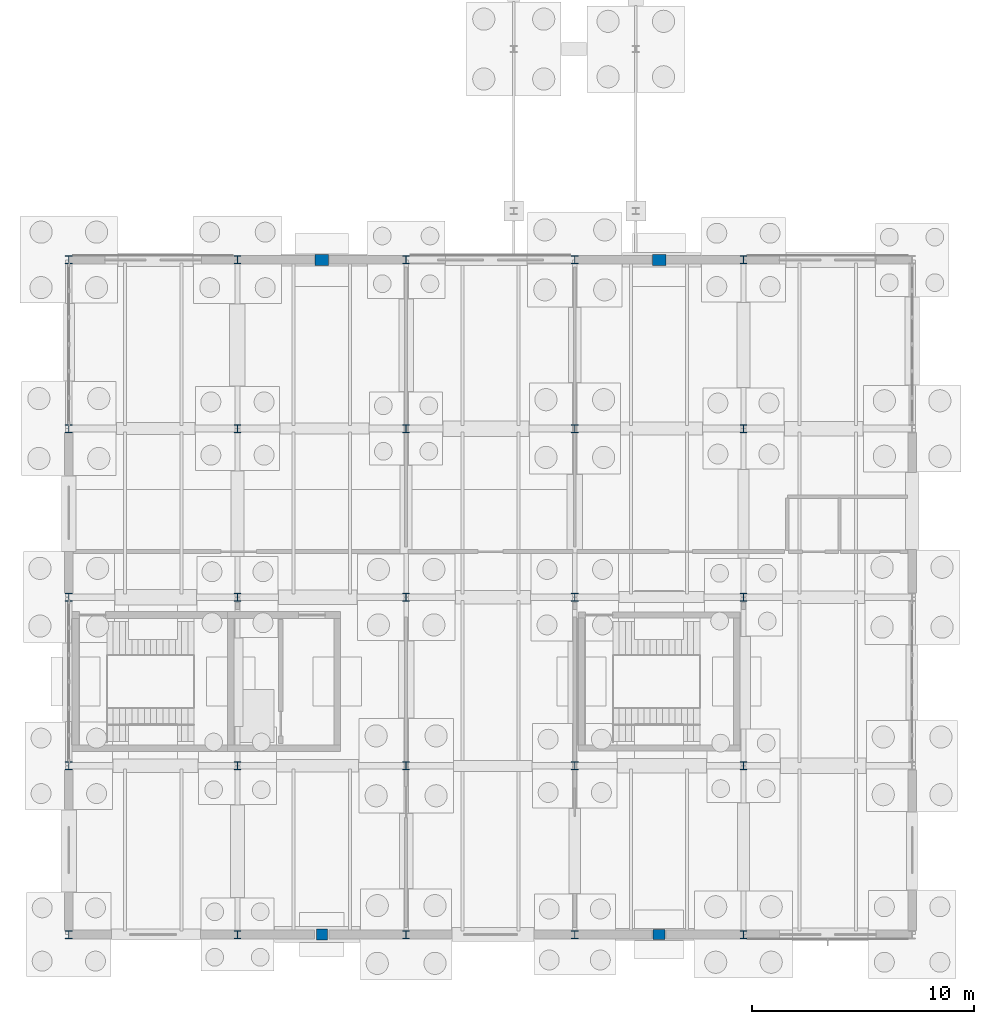
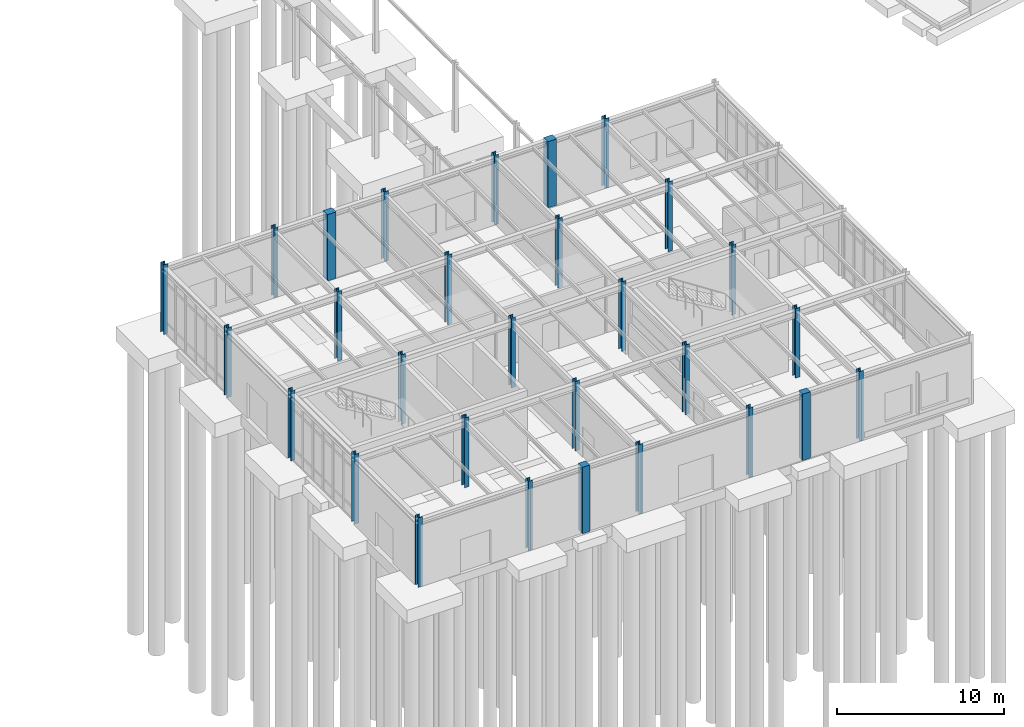
# One storey, part 6 of 109: 29 columns.
"""IFC4 building model written with IfcOpenShell, lengths in metres."""

from ifc_helpers import new_model, si_unit, direction, frame, origin, origin_2d, place, context, subcontext, project, spatial, rectangle, i_section, extrude, material, material_profile, profile_set, type_object, element, save


model = new_model("IFC4")

# Units and contexts
model_context = context("Model", 3, precision=1e-05, world=origin(), true_north=direction((0.0, 1.0)))
body_context = subcontext(model_context, "Body", "Model", "MODEL_VIEW")
ifc_project = project(units=[si_unit("LENGTHUNIT", "METRE"), si_unit("AREAUNIT", "SQUARE_METRE"), si_unit("VOLUMEUNIT", "CUBIC_METRE"), si_unit("PLANEANGLEUNIT", "RADIAN"), si_unit("MASSUNIT", "GRAM", prefix="KILO")], contexts=[model_context])

# Site, building, storey
site_placement = place(None, origin())
site = spatial("IfcSite", under=ifc_project, at=site_placement, CompositionType="ELEMENT")
building_placement = place(site_placement, origin())
building = spatial("IfcBuilding", under=site, at=building_placement, Name="Montecoro Central Library", CompositionType="ELEMENT")
storey_placement = place(building_placement, origin())
storey = spatial("IfcBuildingStorey", under=building, at=storey_placement, Name="L00", CompositionType="ELEMENT", Elevation=0.0)

# Columns
ifc_material_1 = material(Name="Steel S355", Category="steel")
ifc_material_profile_1 = material_profile(ifc_material_1, i_section(OverallWidth=0.300048828125, OverallDepth=0.360107421875, WebThickness=0.012451171875, FlangeThickness=0.0224609375, at=origin_2d()), Name="HEB 360")
ifc_profile_set_1 = profile_set([ifc_material_profile_1], Name="Steel S355")
column_type_1 = type_object("IfcColumnType", Name="COL-HEB360", PredefinedType="COLUMN", material=ifc_profile_set_1)
for number, where, z_axis, x_axis, name in (
    (1, (5.0, 5.0, 0.0), (0.0, 0.0, 1.0), (1.0, 0.0, 0.0), "V3-L00-COL-1-A"),
    (2, (5.0, 12.60009765625, 0.0), (0.0, 0.0, 1.0), (1.0, 0.0, 0.0), "V3-L00-COL-1-B"),
    (3, (5.0, 20.199951171875, 0.0), (0.0, 0.0, 1.0), (1.0, 0.0, 0.0), "V3-L00-COL-1-C"),
    (4, (5.0, 27.800048828125, 0.0), (0.0, 0.0, 1.0), (1.0, 0.0, 0.0), "V3-L00-COL-1-D"),
    (5, (5.0, 35.39990234375, 0.0), (0.0, 0.0, 1.0), (1.0, 0.0, 0.0), "V3-L00-COL-1-E"),
    (6, (12.60009765625, 5.0, 0.0), (0.0, 0.0, 1.0), (1.0, 0.0, 0.0), "V3-L00-COL-2-A"),
    (7, (12.60009765625, 12.60009765625, 0.0), (0.0, 0.0, 1.0), (1.0, 0.0, 0.0), "V3-L00-COL-2-B"),
    (8, (12.60009765625, 20.199951171875, 0.0), (0.0, 0.0, 1.0), (1.0, 0.0, 0.0), "V3-L00-COL-2-C"),
    (9, (12.60009765625, 27.800048828125, 0.0), (0.0, 0.0, 1.0), (1.0, 0.0, 0.0), "V3-L00-COL-2-D"),
    (10, (12.60009765625, 35.39990234375, 0.0), (0.0, 0.0, 1.0), (1.0, 0.0, 0.0), "V3-L00-COL-2-E"),
    (11, (20.199951171875, 5.0, 0.0), (0.0, 0.0, 1.0), (1.0, 0.0, 0.0), "V3-L00-COL-3-A"),
    (12, (20.199951171875, 12.60009765625, 0.0), (0.0, 0.0, 1.0), (1.0, 0.0, 0.0), "V3-L00-COL-3-B"),
    (13, (20.199951171875, 20.199951171875, 0.0), (0.0, 0.0, 1.0), (1.0, 0.0, 0.0), "V3-L00-COL-3-C"),
    (14, (20.199951171875, 27.800048828125, 0.0), (0.0, 0.0, 1.0), (1.0, 0.0, 0.0), "V3-L00-COL-3-D"),
    (15, (20.199951171875, 35.39990234375, 0.0), (0.0, 0.0, 1.0), (1.0, 0.0, 0.0), "V3-L00-COL-3-E"),
    (16, (27.800048828125, 5.0, 0.0), (0.0, 0.0, 1.0), (1.0, 0.0, 0.0), "V3-L00-COL-4-A"),
    (17, (27.800048828125, 12.60009765625, 0.0), (0.0, 0.0, 1.0), (1.0, 0.0, 0.0), "V3-L00-COL-4-B"),
    (18, (27.800048828125, 20.199951171875, 0.0), (0.0, 0.0, 1.0), (1.0, 0.0, 0.0), "V3-L00-COL-4-C"),
    (19, (27.800048828125, 27.800048828125, 0.0), (0.0, 0.0, 1.0), (1.0, 0.0, 0.0), "V3-L00-COL-4-D"),
    (20, (27.800048828125, 35.39990234375, 0.0), (0.0, 0.0, 1.0), (1.0, 0.0, 0.0), "V3-L00-COL-4-E"),
    (21, (35.39990234375, 5.0, 0.0), (0.0, 0.0, 1.0), (1.0, 0.0, 0.0), "V3-L00-COL-5-A"),
    (22, (35.39990234375, 12.60009765625, 0.0), (0.0, 0.0, 1.0), (1.0, 0.0, 0.0), "V3-L00-COL-5-B"),
    (23, (35.39990234375, 20.199951171875, 0.0), (0.0, 0.0, 1.0), (1.0, 0.0, 0.0), "V3-L00-COL-5-C"),
    (24, (35.39990234375, 27.800048828125, 0.0), (0.0, 0.0, 1.0), (1.0, 0.0, 0.0), "V3-L00-COL-5-D"),
    (25, (35.39990234375, 35.39990234375, 0.0), (0.0, 0.0, 1.0), (1.0, 0.0, 0.0), "V3-L00-COL-5-E"),
):
    element("IfcColumn", number, at=place(storey_placement, frame(where, z_axis=z_axis, x_axis=x_axis)), inside=storey, type_object=column_type_1, Name=name, PredefinedType="COLUMN", context=body_context, shape_type="SweptSolid", body=[
        extrude(i_section(OverallWidth=0.300048828125, OverallDepth=0.360107421875, WebThickness=0.012451171875, FlangeThickness=0.0224609375, at=origin_2d()), origin(), (0.0, 0.0, 1.0), 5.074951171875),
    ])
ifc_material_2 = material(Name="Concrete C35/45", Category="concrete")
ifc_material_profile_2 = material_profile(ifc_material_2, rectangle(XDim=0.5, YDim=0.5, at=origin_2d()), Name="RC PIL 500x500")
ifc_profile_set_2 = profile_set([ifc_material_profile_2], Name="Concrete C35/45")
column_type_2 = type_object("IfcColumnType", Name="PIL-RC01", PredefinedType="PILASTER", material=ifc_profile_set_2)
column_1_placement = place(storey_placement, frame((16.39990234375, 5.0, 0.0), z_axis=(0.0, 0.0, 1.0), x_axis=(1.0, 0.0, 0.0)))
element("IfcColumn", 26, at=column_1_placement, inside=storey, type_object=column_type_2, Name="V3-L00-PIL-S1", PredefinedType="PILASTER", context=body_context, shape_type="SweptSolid", body=[
    extrude(rectangle(XDim=0.5, YDim=0.5, at=origin_2d()), origin(), (0.0, 0.0, 1.0), 4.844970703125),
])
ifc_material_profile_3 = material_profile(ifc_material_2, rectangle(XDim=0.550048828125, YDim=0.449951171875, at=origin_2d()), Name="RC PIL 550x450")
ifc_profile_set_3 = profile_set([ifc_material_profile_3], Name="Concrete C35/45")
column_type_3 = type_object("IfcColumnType", Name="PIL-RC02", PredefinedType="PILASTER", material=ifc_profile_set_3)
column_2_placement = place(storey_placement, frame((31.60009765625, 5.0, 0.0), z_axis=(0.0, 0.0, 1.0), x_axis=(1.0, 0.0, 0.0)))
element("IfcColumn", 27, at=column_2_placement, inside=storey, type_object=column_type_3, Name="V3-L00-PIL-S3", PredefinedType="PILASTER", context=body_context, shape_type="SweptSolid", body=[
    extrude(rectangle(XDim=0.550048828125, YDim=0.449951171875, at=origin_2d()), origin(), (0.0, 0.0, 1.0), 4.844970703125),
])
ifc_material_profile_4 = material_profile(ifc_material_2, rectangle(XDim=0.60009765625, YDim=0.5, at=origin_2d()), Name="RC PIL 600x500")
ifc_profile_set_4 = profile_set([ifc_material_profile_4], Name="Concrete C35/45")
column_type_4 = type_object("IfcColumnType", Name="PIL-RC03", PredefinedType="PILASTER", material=ifc_profile_set_4)
for number, where, z_axis, x_axis, name in (
    (28, (16.39990234375, 35.39990234375, 0.0), (0.0, 0.0, 1.0), (1.0, 0.0, 0.0), "V3-L00-PIL-N1"),
    (29, (31.60009765625, 35.39990234375, 0.0), (0.0, 0.0, 1.0), (1.0, 0.0, 0.0), "V3-L00-PIL-N3"),
):
    element("IfcColumn", number, at=place(storey_placement, frame(where, z_axis=z_axis, x_axis=x_axis)), inside=storey, type_object=column_type_4, Name=name, PredefinedType="PILASTER", context=body_context, shape_type="SweptSolid", body=[
        extrude(rectangle(XDim=0.60009765625, YDim=0.5, at=origin_2d()), origin(), (0.0, 0.0, 1.0), 4.844970703125),
    ])

save(model, "model.ifc")
